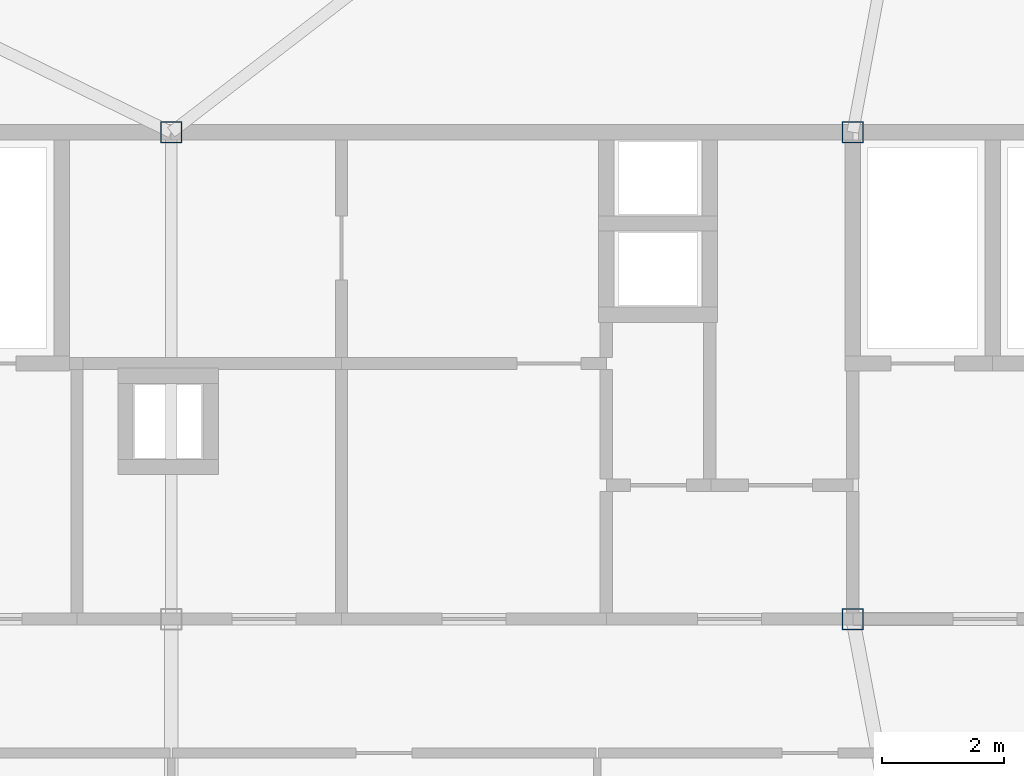
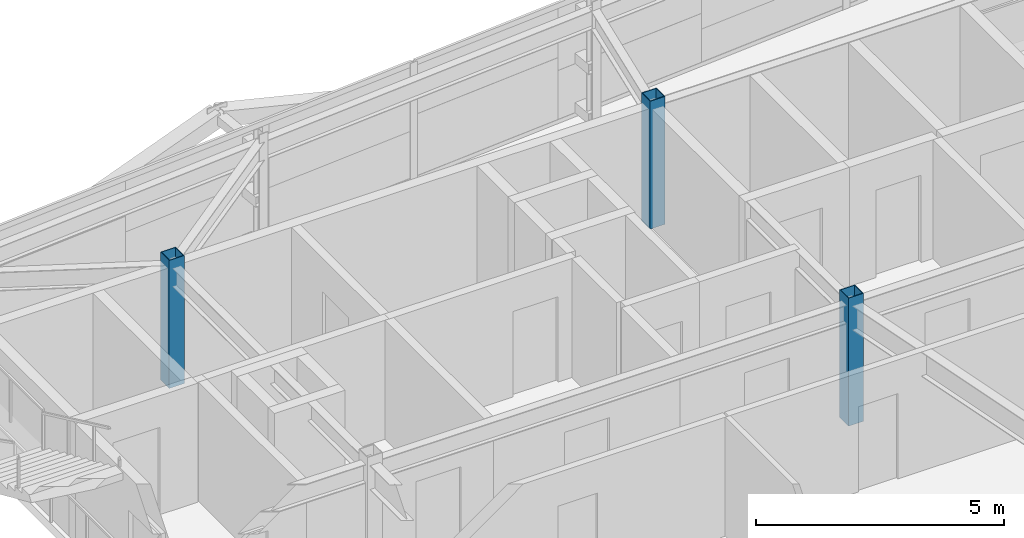
# One storey, part 3 of 37: 3 columns.
"""IFC4 building model written with IfcOpenShell, lengths in metres."""

from ifc_helpers import new_model, si_unit, direction, frame, origin, origin_2d, place, context, subcontext, project, spatial, hollow_rectangle, extrude, source, transform, mapped, material, material_profile, profile_set, type_object, element, save


model = new_model("IFC4")

# Units and contexts
model_context = context("Model", 3, precision=1e-05, world=origin(), true_north=direction((0.0, 1.0)))
body_context = subcontext(model_context, "Body", "Model", "MODEL_VIEW")
ifc_project = project(units=[si_unit("LENGTHUNIT", "METRE"), si_unit("AREAUNIT", "SQUARE_METRE"), si_unit("VOLUMEUNIT", "CUBIC_METRE"), si_unit("PLANEANGLEUNIT", "RADIAN"), si_unit("MASSUNIT", "GRAM", prefix="KILO")], contexts=[model_context])

# Site, building, storey
site_placement = place(None, origin())
site = spatial("IfcSite", under=ifc_project, at=site_placement, CompositionType="ELEMENT")
building_placement = place(site_placement, origin())
building = spatial("IfcBuilding", under=site, at=building_placement, Name="Taldren Reach Tower", CompositionType="ELEMENT")
storey_placement = place(building_placement, frame((0.0, 0.0, 182.0)))
storey = spatial("IfcBuildingStorey", under=building, at=storey_placement, Name="L55", CompositionType="ELEMENT", Elevation=182.0)

# Columns
ifc_material = material(Name="Steel Gr 450 (C450L0)", Category="steel")
ifc_material_profile = material_profile(ifc_material, hollow_rectangle(XDim=0.35009765625, YDim=0.35009765625, WallThickness=0.01611328125, at=origin_2d()), Name="350x350x16.0SHS")
ifc_profile_set = profile_set([ifc_material_profile], Name="Steel Gr 450 (C450L0)")
column_type = type_object("IfcColumnType", Name="COL-SHS350", PredefinedType="COLUMN", material=ifc_profile_set)
shared_shape = source(origin(), body_context, "Body", "SweptSolid", [
    extrude(hollow_rectangle(XDim=0.35009765625, YDim=0.35009765625, WallThickness=0.01611328125, at=origin_2d()), origin(), (0.0, 0.0, 1.0), 3.14990234375),
])
for number, where, z_axis, x_axis, name in (
    (1, (39.199951171875, 24.0, 0.0), (0.0, 0.0, 1.0), (1.0, 0.0, 0.0), "Mega column MC-C3 L55"),
    (2, (28.0, 32.0, 0.0), (0.0, 0.0, 1.0), (1.0, 0.0, 0.0), "Mega column MC-C6 L55"),
    (3, (39.199951171875, 32.0, 0.0), (0.0, 0.0, 1.0), (1.0, 0.0, 0.0), "Mega column MC-C7 L55"),
):
    element("IfcColumn", number, at=place(storey_placement, frame(where, z_axis=z_axis, x_axis=x_axis)), inside=storey, type_object=column_type, Name=name, PredefinedType="COLUMN", context=body_context, shape_type="MappedRepresentation", body=[
        mapped(shared_shape, transform((0.0, 0.0, 0.0), scale=1.0)),
    ])

save(model, "model.ifc")
